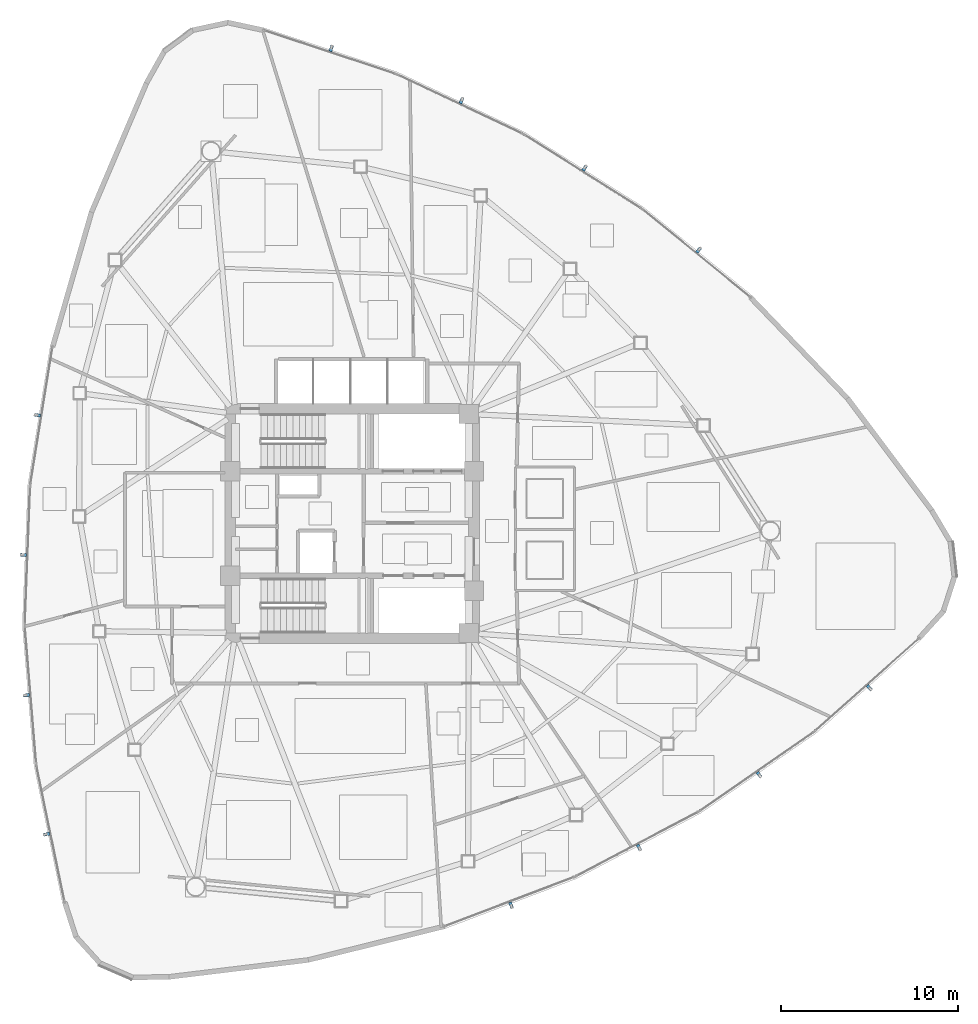
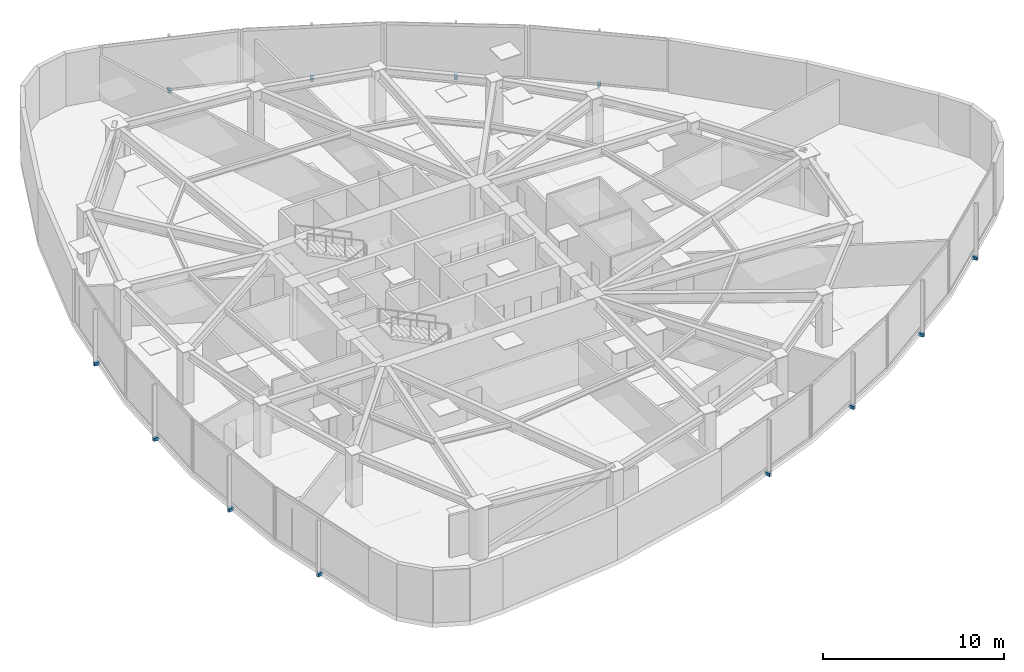
# One storey, part 13 of 17: 12 discrete accessories.
"""IFC4 building model written with IfcOpenShell, lengths in metres."""

from ifc_helpers import new_model, si_unit, direction, frame, origin, origin_2d, place, context, subcontext, project, spatial, rectangle, extrude, source, transform, mapped, material, type_object, type_shapes, element, save


model = new_model("IFC4")

# Units and contexts
model_context = context("Model", 3, precision=1e-05, world=origin(), true_north=direction((0.0, 1.0)))
body_context = subcontext(model_context, "Body", "Model", "MODEL_VIEW")
ifc_project = project(units=[si_unit("LENGTHUNIT", "METRE"), si_unit("AREAUNIT", "SQUARE_METRE"), si_unit("VOLUMEUNIT", "CUBIC_METRE"), si_unit("PLANEANGLEUNIT", "RADIAN"), si_unit("MASSUNIT", "GRAM", prefix="KILO")], contexts=[model_context])

# Site, building, storey
site_placement = place(None, origin())
site = spatial("IfcSite", under=ifc_project, at=site_placement, CompositionType="ELEMENT")
building_placement = place(site_placement, origin())
building = spatial("IfcBuilding", under=site, at=building_placement, Name="Tavelor Broadcast Tower", CompositionType="ELEMENT")
storey_placement = place(building_placement, frame((0.0, 0.0, 134.85009765625)))
storey = spatial("IfcBuildingStorey", under=building, at=storey_placement, Name="L31", CompositionType="ELEMENT", Elevation=134.85009765625)

# Discrete accessories
ifc_material = material(Name="Steel S355", Category="steel")
discrete_accessory_type = type_object("IfcDiscreteAccessoryType", Name="Stainless Baguette Outrigger Support Bracket 260x180", PredefinedType="BRACKET", material=ifc_material)
shared_shape = source(origin(), body_context, "Body", "SweptSolid", [
    extrude(rectangle(XDim=0.179931640625, YDim=0.340087890625, at=origin_2d()), origin(), (0.0, 0.0, 1.0), 0.216064453125),
])
type_shapes(discrete_accessory_type, [shared_shape])
for number, where, z_axis, x_axis, name in (
    (1, (32.186767578125, 51.131103515625, -0.25830078125), (0.0, 0.0, 1.0), (-0.159536602398, -0.987192013995, 0.0), "L31 Baguette Outrigger Bracket 301"),
    (2, (31.3974609375, 43.22216796875, -0.25830078125), (0.0, 0.0, 1.0), (-0.038736615301, -0.999249455659, 0.0), "L31 Baguette Outrigger Bracket 302"),
    (3, (31.57080078125, 35.27587890625, -0.25830078125), (0.0, 0.0, 1.0), (0.08246033549, -0.9965943473, 0.0), "L31 Baguette Outrigger Bracket 303"),
    (4, (32.70458984375, 27.408935546875, -0.25830078125), (0.0, 0.0, 1.0), (0.202445469766, -0.979293537082, 0.0), "L31 Baguette Outrigger Bracket 304"),
    (5, (58.996826171875, 23.389892578125, -0.25830078125), (0.0, 0.0, 1.0), (0.934701663732, 0.355433256487, 0.0), "L31 Baguette Outrigger Bracket 305"),
    (6, (66.240966796875, 26.660888671875, -0.25830078125), (0.0, 0.0, 1.0), (0.884743720969, 0.466077834922, 0.0), "L31 Baguette Outrigger Bracket 306"),
    (7, (73.035888671875, 30.7841796875, -0.25830078125), (0.0, 0.0, 1.0), (0.821845854285, 0.569709918989, 0.0), "L31 Baguette Outrigger Bracket 307"),
    (8, (79.281982421875, 35.69970703125, -0.25830078125), (0.0, 0.0, 1.0), (0.746870345992, 0.664969688239, 0.0), "L31 Baguette Outrigger Bracket 308"),
    (9, (69.6162109375, 60.478759765625, -0.25830078125), (0.0, 0.0, 1.0), (-0.775165061333, 0.631758757508, 0.0), "L31 Baguette Outrigger Bracket 309"),
    (10, (63.16162109375, 65.116943359375, -0.25830078125), (0.0, 0.0, 1.0), (-0.846007105668, 0.533171620737, 0.0), "L31 Baguette Outrigger Bracket 310"),
    (11, (56.193115234375, 68.939697265625, -0.25830078125), (0.0, 0.0, 1.0), (-0.904306189775, 0.426884428311, 0.0), "L31 Baguette Outrigger Bracket 311"),
    (12, (48.813232421875, 71.891357421875, -0.25830078125), (0.0, 0.0, 1.0), (-0.949315815758, 0.314323848843, 0.0), "L31 Baguette Outrigger Bracket 312"),
):
    element("IfcDiscreteAccessory", number, at=place(storey_placement, frame(where, z_axis=z_axis, x_axis=x_axis)), inside=storey, type_object=discrete_accessory_type, Name=name, PredefinedType="BRACKET", context=body_context, shape_type="MappedRepresentation", body=[
        mapped(shared_shape, transform((0.0, 0.0, 0.0), scale=1.0)),
    ])

save(model, "model.ifc")
